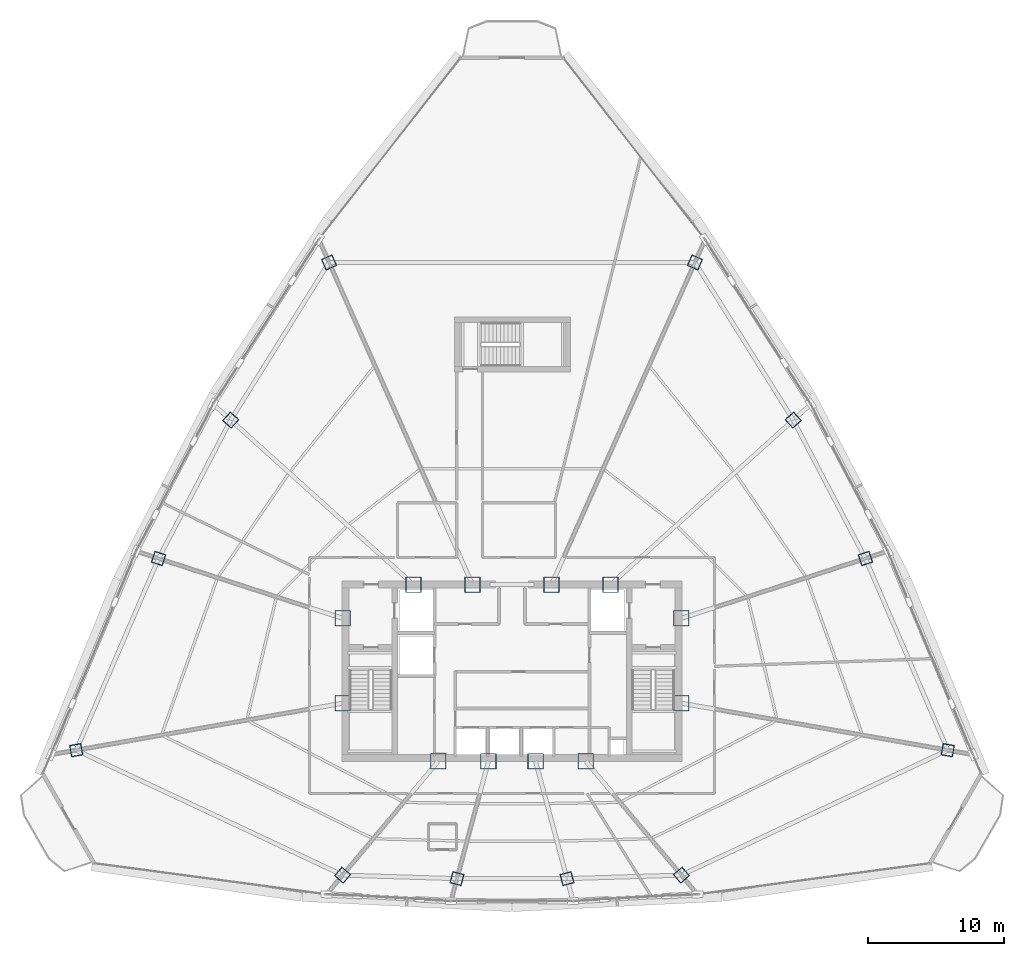
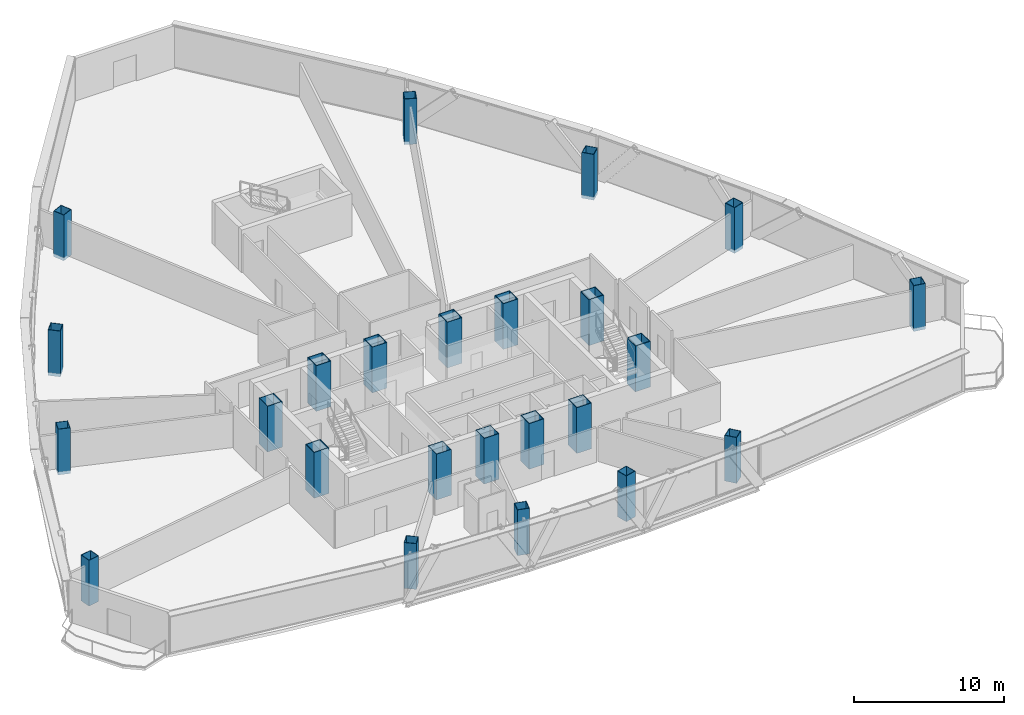
# One storey, part 1 of 37: 24 columns.
"""IFC4 building model written with IfcOpenShell, lengths in metres."""

import ifcopenshell
import ifcopenshell.guid

model = None  # the IFC model being written
_history = None  # IfcOwnerHistory: only IFC2X3 demands one
_inside = {}  # id of a spatial element -> (the spatial element, [elements in it])
_under = {}  # id of a project, library or spatial element -> (it, [spatial elements below it])
_declared = {}  # id of a project -> (the project, [libraries it declares])
_typed = {}  # id of a type object -> (the type object, [elements of that type])
_made_of = {}  # id of a material, layer set ... -> (it, [elements and type objects made of it])


def new_model(schema):
    """Start an empty IFC model of exactly this schema.

    Asked for "IFC4X3", IfcOpenShell would pick the latest addendum, in which some entities
    have other attributes; the version numbers below select the first issue.
    IFC2X3 requires an IfcOwnerHistory on every rooted entity: one is made here for all.
    """
    global model, _history
    if schema == "IFC4X3":
        model = ifcopenshell.file(schema_version=(4, 3, 0, 0))
    else:
        model = ifcopenshell.file(schema=schema)
    _inside.clear()
    _under.clear()
    _declared.clear()
    _typed.clear()
    _made_of.clear()
    _history = None
    if model.schema == "IFC2X3":
        org = make("IfcOrganization", Name="unknown")
        user = make(
            "IfcPersonAndOrganization",
            ThePerson=make("IfcPerson", FamilyName="unknown"),
            TheOrganization=org,
        )
        app = make(
            "IfcApplication",
            ApplicationDeveloper=org,
            Version="unknown",
            ApplicationFullName="unknown",
            ApplicationIdentifier="unknown",
        )
        _history = make(
            "IfcOwnerHistory",
            OwningUser=user,
            OwningApplication=app,
            ChangeAction="ADDED",
            CreationDate=0,
        )
    return model


def make(cls, **values):
    """One entity of the class cls with the attributes given. An attribute that is None is left unset."""
    return model.create_entity(
        cls, **{name: value for name, value in values.items() if value is not None}
    )


def rooted(cls, **values):
    """An entity with a GlobalId (a new one), such as an element, a storey or a relation."""
    return make(cls, GlobalId=ifcopenshell.guid.new(), OwnerHistory=_history, **values)


def si_unit(unit_type, name, prefix=None):
    """IfcSIUnit, for example si_unit("LENGTHUNIT", "METRE", prefix="MILLI")."""
    return make("IfcSIUnit", UnitType=unit_type, Prefix=prefix, Name=name)


def assignment(units):
    """IfcUnitAssignment: the units of a project."""
    return None if units is None else make("IfcUnitAssignment", Units=units)


def point(xyz):
    """IfcCartesianPoint."""
    return None if xyz is None else make("IfcCartesianPoint", Coordinates=xyz)


def direction(xyz):
    """IfcDirection."""
    return None if xyz is None else make("IfcDirection", DirectionRatios=xyz)


def frame(location, z_axis=None, x_axis=None):
    """IfcAxis2Placement3D, a coordinate frame: its origin and axes. An axis left out is left unset."""
    return make(
        "IfcAxis2Placement3D",
        Location=point(location),
        Axis=direction(z_axis),
        RefDirection=direction(x_axis),
    )


def frame_2d(location, x_axis=None):
    """IfcAxis2Placement2D, a coordinate frame in the plane: its origin and x axis."""
    return make(
        "IfcAxis2Placement2D", Location=point(location), RefDirection=direction(x_axis)
    )


def origin():
    """The frame at (0, 0, 0) with its axes left unset."""
    return frame((0.0, 0.0, 0.0))


def origin_2d():
    """The frame at (0, 0) in the plane with its x axis left unset."""
    return frame_2d((0.0, 0.0))


def place(relative_to, where):
    """IfcLocalPlacement: puts the frame where relative to a parent placement (None: the world)."""
    return make(
        "IfcLocalPlacement", PlacementRelTo=relative_to, RelativePlacement=where
    )


def context(
    kind, dimensions, precision=None, world=None, true_north=None, identifier=None
):
    """IfcGeometricRepresentationContext, for example the 3D "Model" context."""
    return make(
        "IfcGeometricRepresentationContext",
        ContextIdentifier=identifier,
        ContextType=kind,
        CoordinateSpaceDimension=dimensions,
        Precision=precision,
        WorldCoordinateSystem=world,
        TrueNorth=true_north,
    )


def subcontext(parent, identifier, kind, view, scale=None):
    """IfcGeometricRepresentationSubContext, for example "Body" below "Model"."""
    return make(
        "IfcGeometricRepresentationSubContext",
        ContextIdentifier=identifier,
        ContextType=kind,
        ParentContext=parent,
        TargetScale=scale,
        TargetView=view,
    )


def project(units=None, contexts=None):
    """IfcProject with its units and contexts."""
    return rooted(
        "IfcProject",
        Name="project",
        RepresentationContexts=contexts,
        UnitsInContext=assignment(units),
    )


def spatial(cls, under=None, at=None, **own):
    """A site, building, storey or space (cls), placed at a placement, below another one or the project."""
    s = rooted(cls, ObjectPlacement=at, **own)
    if under is not None:
        _under.setdefault(under.id(), (under, []))[1].append(s)
    return s


def profile(cls, at=None, kind="AREA", **sizes):
    """A parametric profile (cls). Its sizes go by their IFC names, for example OverallWidth=200.0."""
    return make(cls, ProfileType=kind, Position=at, **sizes)


def hollow_rectangle(**sizes):
    """IfcRectangleHollowProfileDef."""
    return profile("IfcRectangleHollowProfileDef", **sizes)


def extrude(swept, where, along, depth):
    """IfcExtrudedAreaSolid: the profile swept, set in the frame where, extruded along a direction by depth."""
    return make(
        "IfcExtrudedAreaSolid",
        SweptArea=swept,
        Position=where,
        ExtrudedDirection=direction(along),
        Depth=depth,
    )


def shape(context_of_items, identifier, shape_type, items):
    """IfcShapeRepresentation: the items that make up one representation, for example the "Body"."""
    return make(
        "IfcShapeRepresentation",
        ContextOfItems=context_of_items,
        RepresentationIdentifier=identifier,
        RepresentationType=shape_type,
        Items=items,
    )


def source(mapping_origin, context_of_items, identifier, shape_type, items):
    """IfcRepresentationMap: a shape defined once, which mapped items show again and again."""
    return make(
        "IfcRepresentationMap",
        MappingOrigin=mapping_origin,
        MappedRepresentation=shape(context_of_items, identifier, shape_type, items),
    )


def transform(
    local_origin,
    x_axis=None,
    y_axis=None,
    z_axis=None,
    scale=None,
    scale2=None,
    scale3=None,
    uniform=True,
):
    """IfcCartesianTransformationOperator3D, or its non-uniform kind. x_axis, y_axis, z_axis: its Axis1, 2, 3."""
    if uniform:
        return make(
            "IfcCartesianTransformationOperator3D",
            Axis1=direction(x_axis),
            Axis2=direction(y_axis),
            LocalOrigin=point(local_origin),
            Scale=scale,
            Axis3=direction(z_axis),
        )
    return make(
        "IfcCartesianTransformationOperator3DnonUniform",
        Axis1=direction(x_axis),
        Axis2=direction(y_axis),
        LocalOrigin=point(local_origin),
        Scale=scale,
        Axis3=direction(z_axis),
        Scale2=scale2,
        Scale3=scale3,
    )


def mapped(mapping_source, mapping_target):
    """IfcMappedItem: shows the shape of a source again, moved by a transform."""
    return make(
        "IfcMappedItem", MappingSource=mapping_source, MappingTarget=mapping_target
    )


def material(Name=None, Category=None):
    """IfcMaterial."""
    return make("IfcMaterial", Name=Name, Category=Category)


def material_profile(
    of_material, cross_section, Name=None, Category=None, Priority=None
):
    """IfcMaterialProfile: a cross section and its material."""
    return make(
        "IfcMaterialProfile",
        Name=Name,
        Material=of_material,
        Profile=cross_section,
        Priority=Priority,
        Category=Category,
    )


def profile_set(profiles, Name=None, composite=None):
    """IfcMaterialProfileSet."""
    return make(
        "IfcMaterialProfileSet",
        Name=Name,
        MaterialProfiles=profiles,
        CompositeProfile=composite,
    )


def made_of(thing, what):
    """Note that an element or type object is made of a material, layer set ...; save() writes the relation."""
    if what is not None:
        _made_of.setdefault(what.id(), (what, []))[1].append(thing)
    return thing


def type_object(cls, material=None, **own):
    """A type object (cls), such as IfcWallType, which elements share."""
    return made_of(rooted(cls, **own), material)


def element(
    cls,
    number,
    at=None,
    inside=None,
    cuts=None,
    type_object=None,
    material=None,
    context=None,
    identifier="Body",
    shape_type=None,
    held_by="IfcProductDefinitionShape",
    body=None,
    shapes=None,
    **own,
):
    """One element of the class cls, such as IfcWall. Its Tag is "e" and its number.

    at: its placement. inside: the storey or other place that contains it. cuts: it is an
    opening in that element (IfcRelVoidsElement). A single representation is given by context,
    identifier, shape_type and body (its items); several are given by shapes. held_by: the class
    of the entity that holds the representations. save() writes the other relations.
    """
    e = rooted(cls, Tag="e%d" % number, ObjectPlacement=at, **own)
    if body is not None:
        shapes = [shape(context, identifier, shape_type, body)]
    if shapes is not None:
        e.Representation = make(held_by, Representations=shapes)
    if inside is not None:
        _inside.setdefault(inside.id(), (inside, []))[1].append(e)
    if cuts is not None:
        rooted(
            "IfcRelVoidsElement", RelatingBuildingElement=cuts, RelatedOpeningElement=e
        )
    if type_object is not None:
        _typed.setdefault(type_object.id(), (type_object, []))[1].append(e)
    return made_of(e, material)


def aggregate(whole, parts):
    """IfcRelAggregates: a whole, such as a stair, and the parts it consists of."""
    return rooted("IfcRelAggregates", RelatingObject=whole, RelatedObjects=parts)


def save(model, path):
    """Write the relations noted so far, then the file.

    IfcRelAggregates (storeys below a building ...), IfcRelContainedInSpatialStructure (elements
    in a storey), IfcRelDefinesByType, IfcRelAssociatesMaterial and IfcRelDeclares: one each for
    every whole, place, type object, material and project.
    """
    for whole, parts in _under.values():
        aggregate(whole, parts)
    for where, things in _inside.values():
        rooted(
            "IfcRelContainedInSpatialStructure",
            RelatedElements=things,
            RelatingStructure=where,
        )
    for kind, things in _typed.values():
        rooted("IfcRelDefinesByType", RelatedObjects=things, RelatingType=kind)
    for what, things in _made_of.values():
        rooted("IfcRelAssociatesMaterial", RelatedObjects=things, RelatingMaterial=what)
    for by, libraries in _declared.values():
        rooted("IfcRelDeclares", RelatingContext=by, RelatedDefinitions=libraries)
    model.write(path)


model = new_model("IFC4")

# Units and contexts
model_context = context("Model", 3, precision=1e-05, world=origin(), true_north=direction((0.0, 1.0)))
body_context = subcontext(model_context, "Body", "Model", "MODEL_VIEW")
ifc_project = project(units=[si_unit("LENGTHUNIT", "METRE"), si_unit("AREAUNIT", "SQUARE_METRE"), si_unit("VOLUMEUNIT", "CUBIC_METRE"), si_unit("PLANEANGLEUNIT", "RADIAN"), si_unit("MASSUNIT", "GRAM", prefix="KILO"), si_unit("THERMODYNAMICTEMPERATUREUNIT", "KELVIN"), si_unit("POWERUNIT", "WATT")], contexts=[model_context])

# Site, building, storey
site_placement = place(None, origin())
site = spatial("IfcSite", under=ifc_project, at=site_placement, CompositionType="ELEMENT")
building_placement = place(site_placement, origin())
building = spatial("IfcBuilding", under=site, at=building_placement, Name="Yunzhuo Pagoda Commons", CompositionType="ELEMENT")
storey_placement = place(building_placement, frame((0.0, 0.0, 255.719970703125)))
storey = spatial("IfcBuildingStorey", under=building, at=storey_placement, Name="L64", CompositionType="ELEMENT", Elevation=255.719970703125)

# Columns
ifc_material_1 = material(Name="Structural steel Q420B", Category="steel")
ifc_material_profile_1 = material_profile(ifc_material_1, hollow_rectangle(XDim=1.14990234375, YDim=1.14990234375, WallThickness=0.048095703125, at=origin_2d()), Name="Structural steel Q420B")
ifc_profile_set_1 = profile_set([ifc_material_profile_1], Name="Structural steel Q420B")
column_type_1 = type_object("IfcColumnType", Name="C-COR Column BOX 1150x1150x48", PredefinedType="COLUMN", material=ifc_profile_set_1)
shared_shape_1 = source(origin(), body_context, "Body", "SweptSolid", [
    extrude(hollow_rectangle(XDim=1.14990234375, YDim=1.14990234375, WallThickness=0.048095703125, at=origin_2d()), origin(), (0.0, 0.0, 1.0), 3.72998046875),
])
for number, where, z_axis, x_axis, name in (
    (1, (42.587890625, 27.25, -0.260009765625), (0.0, 0.0, 1.0), (1.0, 0.0, 0.0), "L64 core composite column F1C1"),
    (2, (46.27197265625, 27.25, -0.260009765625), (0.0, 0.0, 1.0), (1.0, 0.0, 0.0), "L64 core composite column F1C2"),
    (3, (49.728515625, 27.25, -0.260009765625), (0.0, 0.0, 1.0), (1.0, 0.0, 0.0), "L64 core composite column F1C3"),
    (4, (53.412109375, 27.25, -0.260009765625), (0.0, 0.0, 1.0), (1.0, 0.0, 0.0), "L64 core composite column F1C4"),
    (5, (60.39990234375, 31.513427734375, -0.260009765625), (0.0, 0.0, 1.0), (1.0, 0.0, 0.0), "L64 core composite column F2C1"),
    (6, (60.39990234375, 37.72900390625, -0.260009765625), (0.0, 0.0, 1.0), (1.0, 0.0, 0.0), "L64 core composite column F2C2"),
    (7, (55.218994140625, 40.199951171875, -0.260009765625), (0.0, 0.0, 1.0), (1.0, 0.0, 0.0), "L64 core composite column F2C3"),
    (8, (50.89404296875, 40.199951171875, -0.260009765625), (0.0, 0.0, 1.0), (1.0, 0.0, 0.0), "L64 core composite column F2C4"),
    (9, (45.10595703125, 40.199951171875, -0.260009765625), (0.0, 0.0, 1.0), (1.0, 0.0, 0.0), "L64 core composite column F3C1"),
    (10, (40.781005859375, 40.199951171875, -0.260009765625), (0.0, 0.0, 1.0), (1.0, 0.0, 0.0), "L64 core composite column F3C2"),
    (11, (35.60009765625, 37.72900390625, -0.260009765625), (0.0, 0.0, 1.0), (1.0, 0.0, 0.0), "L64 core composite column F3C3"),
    (12, (35.60009765625, 31.513427734375, -0.260009765625), (0.0, 0.0, 1.0), (1.0, 0.0, 0.0), "L64 core composite column F3C4"),
):
    element("IfcColumn", number, at=place(storey_placement, frame(where, z_axis=z_axis, x_axis=x_axis)), inside=storey, type_object=column_type_1, Name=name, PredefinedType="COLUMN", context=body_context, shape_type="MappedRepresentation", body=[
        mapped(shared_shape_1, transform((0.0, 0.0, 0.0), scale=1.0)),
    ])
ifc_material_2 = material(Name="Structural steel Q355B", Category="steel")
ifc_material_profile_2 = material_profile(ifc_material_2, hollow_rectangle(XDim=0.85009765625, YDim=0.85009765625, WallThickness=0.033935546875, at=origin_2d()), Name="Structural steel Q355B")
ifc_profile_set_2 = profile_set([ifc_material_profile_2], Name="Structural steel Q355B")
column_type_2 = type_object("IfcColumnType", Name="C-Z5 Column BOX 850x850x34", PredefinedType="COLUMN", material=ifc_profile_set_2)
shared_shape_2 = source(origin(), body_context, "Body", "SweptSolid", [
    extrude(hollow_rectangle(XDim=0.85009765625, YDim=0.85009765625, WallThickness=0.033935546875, at=origin_2d()), origin(), (0.0, 0.0, 1.0), 3.72998046875),
])
for number, where, z_axis, x_axis, name in (
    (13, (35.593017578125, 18.913818359375, -0.260009765625), (0.0, 0.0, 1.0), (0.766044443119, -0.642787609687, 0.0), "L64 tower column F1C1"),
    (14, (43.968505859375, 18.654052734375, -0.260009765625), (0.0, 0.0, 1.0), (0.965925826289, -0.258819045103, 0.0), "L64 tower column F1C2"),
    (15, (52.031494140625, 18.654052734375, -0.260009765625), (0.0, 0.0, 1.0), (0.965925826289, 0.258819045103, 0.0), "L64 tower column F1C3"),
    (16, (60.406982421875, 18.913818359375, -0.260009765625), (0.0, 0.0, 1.0), (0.766044443119, 0.642787609687, 0.0), "L64 tower column F1C4"),
    (17, (79.93408203125, 28.069091796875, -0.260009765625), (0.0, 0.0, 1.0), (0.173648177667, 0.984807753012, 0.0), "L64 tower column F2C1"),
    (18, (73.898681640625, 42.114990234375, -0.260009765625), (0.0, 0.0, 1.0), (-0.309016994375, 0.951056516295, 0.0), "L64 tower column F2C2"),
    (19, (68.61181640625, 52.259033203125, -0.260009765625), (0.0, 0.0, 1.0), (-0.669130606359, 0.743144825477, 0.0), "L64 tower column F2C3"),
    (20, (61.40673828125, 63.81201171875, -0.260009765625), (0.0, 0.0, 1.0), (-0.913545457643, 0.406736643076, 0.0), "L64 tower column F2C4"),
    (21, (34.59326171875, 63.81201171875, -0.260009765625), (0.0, 0.0, 1.0), (-0.913545457643, -0.406736643076, 0.0), "L64 tower column F3C1"),
    (22, (27.38818359375, 52.259033203125, -0.260009765625), (0.0, 0.0, 1.0), (-0.669130606359, -0.743144825477, 0.0), "L64 tower column F3C2"),
    (23, (22.101806640625, 42.114990234375, -0.260009765625), (0.0, 0.0, 1.0), (-0.309016994375, -0.951056516295, 0.0), "L64 tower column F3C3"),
    (24, (16.06591796875, 28.069091796875, -0.260009765625), (0.0, 0.0, 1.0), (0.173648177667, -0.984807753012, 0.0), "L64 tower column F3C4"),
):
    element("IfcColumn", number, at=place(storey_placement, frame(where, z_axis=z_axis, x_axis=x_axis)), inside=storey, type_object=column_type_2, Name=name, PredefinedType="COLUMN", context=body_context, shape_type="MappedRepresentation", body=[
        mapped(shared_shape_2, transform((0.0, 0.0, 0.0), scale=1.0)),
    ])

save(model, "model.ifc")
